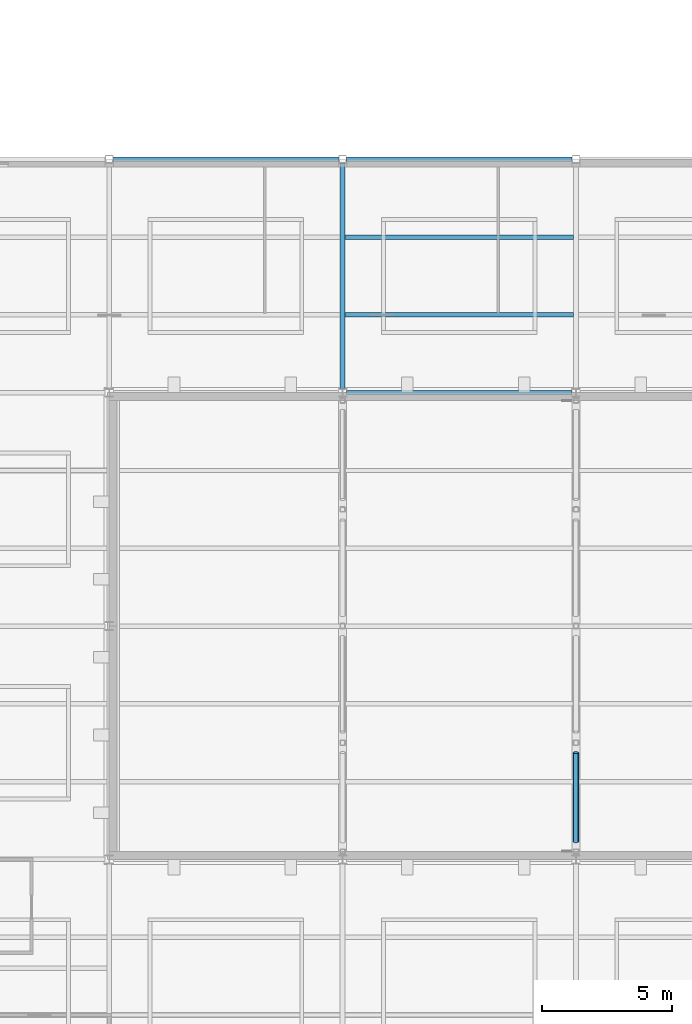
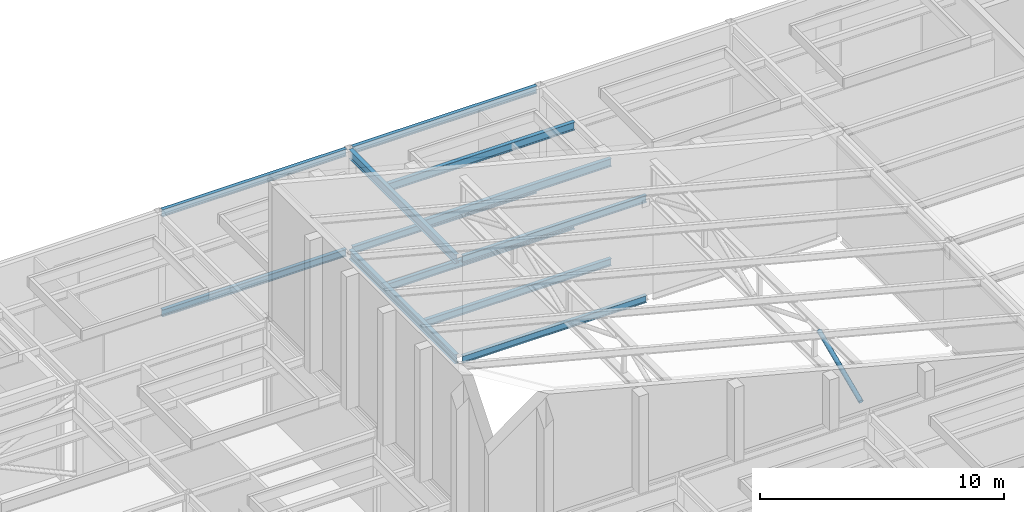
# One storey, part 40 of 115: 12 beams, 1 member.
"""IFC4 building model written with IfcOpenShell, lengths in metres."""

from ifc_helpers import new_model, si_unit, direction, frame, origin, origin_2d, place, context, subcontext, project, spatial, hollow_circle, i_section, extrude, material, material_profile, profile_set, type_object, element, save


model = new_model("IFC4")

# Units and contexts
model_context = context("Model", 3, precision=1e-05, world=origin(), true_north=direction((0.0, 1.0)))
body_context = subcontext(model_context, "Body", "Model", "MODEL_VIEW")
ifc_project = project(units=[si_unit("LENGTHUNIT", "METRE"), si_unit("AREAUNIT", "SQUARE_METRE"), si_unit("VOLUMEUNIT", "CUBIC_METRE"), si_unit("PLANEANGLEUNIT", "RADIAN"), si_unit("MASSUNIT", "GRAM", prefix="KILO")], contexts=[model_context])

# Site, building, storey
site_placement = place(None, origin())
site = spatial("IfcSite", under=ifc_project, at=site_placement, CompositionType="ELEMENT")
building_placement = place(site_placement, origin())
building = spatial("IfcBuilding", under=site, at=building_placement, Name="Shorebreak Coast Museum", CompositionType="ELEMENT")
storey_placement = place(building_placement, frame((0.0, 0.0, 11.0)))
storey = spatial("IfcBuildingStorey", under=building, at=storey_placement, Name="L02", CompositionType="ELEMENT", Elevation=11.0)

# Member
ifc_material_1 = material(Name="Steel Grade C350L0", Category="steel")
ifc_material_profile_1 = material_profile(ifc_material_1, hollow_circle(Radius=0.109619140625, WallThickness=0.00830078125, at=origin_2d()), Name="219.1x8.2 CHS")
ifc_profile_set_1 = profile_set([ifc_material_profile_1], Name="Steel Grade C350L0")
member_type = type_object("IfcMemberType", Name="Auditorium roof truss diagonal 219.1x8.2 CHS", PredefinedType="BRACE", material=ifc_profile_set_1)
member_placement = place(storey_placement, frame((36.0, 63.681640625, 4.911376953125), z_axis=(0.0, 0.919145030018, 0.393919298579), x_axis=(-1.0, 0.0, 0.0)))
element("IfcMember", 1, at=member_placement, inside=storey, type_object=member_type, Name="Auditorium roof truss TS2 diagonal D01", PredefinedType="BRACE", context=body_context, shape_type="SweptSolid", body=[
    extrude(hollow_circle(Radius=0.109619140625, WallThickness=0.00830078125, at=origin_2d()), origin(), (0.0, 0.0, 1.0), 3.739013671875),
])

# Beams
ifc_material_2 = material(Name="Steel Grade 300", Category="steel")
ifc_material_profile_2 = material_profile(ifc_material_2, i_section(OverallWidth=0.1708984375, OverallDepth=0.355712890625, WebThickness=0.00732421875, FlangeThickness=0.011474609375, FilletRadius=0.011474609375, at=origin_2d()), Name="360UB50.7")
ifc_profile_set_2 = profile_set([ifc_material_profile_2], Name="Steel Grade 300")
beam_type_1 = type_object("IfcBeamType", Name="Floor girder east-west 360UB50.7", PredefinedType="BEAM", material=ifc_profile_set_2)
beam_1_placement = place(storey_placement, frame((27.155517578125, 81.0, -0.352783203125), z_axis=(1.0, 0.0, 0.0), x_axis=(0.0, 1.0, 0.0)))
element("IfcBeam", 2, at=beam_1_placement, inside=storey, type_object=beam_type_1, Name="Floor girder east-west L02 4K", PredefinedType="BEAM", context=body_context, shape_type="SweptSolid", body=[
    extrude(i_section(OverallWidth=0.1708984375, OverallDepth=0.355712890625, WebThickness=0.00732421875, FlangeThickness=0.011474609375, FilletRadius=0.011474609375, at=origin_2d()), origin(), (0.0, 0.0, 1.0), 8.68896484375),
])
for number, where, z_axis, x_axis, name in (
    (3, (18.14990234375, 90.0, -0.352783203125), (1.0, 0.0, 0.0), (0.0, 1.0, 0.0), "Floor girder east-west L02 3L"),
    (4, (27.14990234375, 90.0, -0.352783203125), (1.0, 0.0, 0.0), (0.0, 1.0, 0.0), "Floor girder east-west L02 4L"),
):
    element("IfcBeam", number, at=place(storey_placement, frame(where, z_axis=z_axis, x_axis=x_axis)), inside=storey, type_object=beam_type_1, Name=name, PredefinedType="BEAM", context=body_context, shape_type="SweptSolid", body=[
        extrude(i_section(OverallWidth=0.1708984375, OverallDepth=0.355712890625, WebThickness=0.00732421875, FlangeThickness=0.011474609375, FilletRadius=0.011474609375, at=origin_2d()), origin(), (0.0, 0.0, 1.0), 8.7001953125),
    ])
ifc_material_3 = material(Name="Steel Grade 300", Category="steel")
ifc_material_profile_3 = material_profile(ifc_material_3, i_section(OverallWidth=0.19091796875, OverallDepth=0.46044921875, WebThickness=0.010009765625, FlangeThickness=0.01611328125, FilletRadius=0.011474609375, at=origin_2d()), Name="460UB82.1")
ifc_profile_set_3 = profile_set([ifc_material_profile_3], Name="Steel Grade 300")
beam_type_2 = type_object("IfcBeamType", Name="Floor girder north-south 460UB82.1", PredefinedType="BEAM", material=ifc_profile_set_3)
beam_2_placement = place(storey_placement, frame((27.0, 81.16357421875, -0.4052734375), z_axis=(0.0, 1.0, 0.0), x_axis=(-1.0, 0.0, 0.0)))
element("IfcBeam", 5, at=beam_2_placement, inside=storey, type_object=beam_type_2, Name="Floor girder north-south L02 4K", PredefinedType="BEAM", context=body_context, shape_type="SweptSolid", body=[
    extrude(i_section(OverallWidth=0.19091796875, OverallDepth=0.46044921875, WebThickness=0.010009765625, FlangeThickness=0.01611328125, FilletRadius=0.011474609375, at=origin_2d()), origin(), (0.0, 0.0, 1.0), 8.6865234375),
])
ifc_material_4 = material(Name="Steel Grade 300", Category="steel")
ifc_material_profile_4 = material_profile(ifc_material_4, i_section(OverallWidth=0.1708984375, OverallDepth=0.355712890625, WebThickness=0.00732421875, FlangeThickness=0.011474609375, FilletRadius=0.011474609375, at=origin_2d()), Name="360UB50.7")
ifc_profile_set_4 = profile_set([ifc_material_profile_4], Name="Steel Grade 300")
beam_type_3 = type_object("IfcBeamType", Name="Floor joist 360UB50.7", PredefinedType="JOIST", material=ifc_profile_set_4)
for number, where, z_axis, x_axis, name in (
    (6, (27.095458984375, 84.0, -0.352783203125), (1.0, 0.0, 0.0), (0.0, 1.0, 0.0), "Floor joist L02 bay 4K at 3000 mm"),
    (7, (27.095458984375, 87.0, -0.352783203125), (1.0, 0.0, 0.0), (0.0, 1.0, 0.0), "Floor joist L02 bay 4K at 6000 mm"),
):
    element("IfcBeam", number, at=place(storey_placement, frame(where, z_axis=z_axis, x_axis=x_axis)), inside=storey, type_object=beam_type_3, Name=name, PredefinedType="JOIST", context=body_context, shape_type="SweptSolid", body=[
        extrude(i_section(OverallWidth=0.1708984375, OverallDepth=0.355712890625, WebThickness=0.00732421875, FlangeThickness=0.011474609375, FilletRadius=0.011474609375, at=origin_2d()), origin(), (0.0, 0.0, 1.0), 8.80908203125),
    ])
ifc_material_5 = material(Name="Steel Grade 300", Category="steel")
ifc_material_profile_5 = material_profile(ifc_material_5, i_section(OverallWidth=0.1708984375, OverallDepth=0.355712890625, WebThickness=0.00732421875, FlangeThickness=0.011474609375, FilletRadius=0.011474609375, at=origin_2d()), Name="360UB50.7")
ifc_profile_set_5 = profile_set([ifc_material_profile_5], Name="Steel Grade 300")
beam_type_4 = type_object("IfcBeamType", Name="Roof deck girder east-west 360UB50.7", PredefinedType="BEAM", material=ifc_profile_set_5)
beam_3_placement = place(storey_placement, frame((27.155517578125, 81.0, 4.647216796875), z_axis=(1.0, 0.0, 0.0), x_axis=(0.0, 1.0, 0.0)))
element("IfcBeam", 8, at=beam_3_placement, inside=storey, type_object=beam_type_4, Name="Roof deck girder east-west L03 4K", PredefinedType="BEAM", context=body_context, shape_type="SweptSolid", body=[
    extrude(i_section(OverallWidth=0.1708984375, OverallDepth=0.355712890625, WebThickness=0.00732421875, FlangeThickness=0.011474609375, FilletRadius=0.011474609375, at=origin_2d()), origin(), (0.0, 0.0, 1.0), 8.68896484375),
])
for number, where, z_axis, x_axis, name in (
    (9, (18.14990234375, 90.0, 4.647216796875), (1.0, 0.0, 0.0), (0.0, 1.0, 0.0), "Roof deck girder east-west L03 3L"),
    (10, (27.14990234375, 90.0, 4.647216796875), (1.0, 0.0, 0.0), (0.0, 1.0, 0.0), "Roof deck girder east-west L03 4L"),
):
    element("IfcBeam", number, at=place(storey_placement, frame(where, z_axis=z_axis, x_axis=x_axis)), inside=storey, type_object=beam_type_4, Name=name, PredefinedType="BEAM", context=body_context, shape_type="SweptSolid", body=[
        extrude(i_section(OverallWidth=0.1708984375, OverallDepth=0.355712890625, WebThickness=0.00732421875, FlangeThickness=0.011474609375, FilletRadius=0.011474609375, at=origin_2d()), origin(), (0.0, 0.0, 1.0), 8.7001953125),
    ])
ifc_material_6 = material(Name="Steel Grade 300", Category="steel")
ifc_material_profile_6 = material_profile(ifc_material_6, i_section(OverallWidth=0.18994140625, OverallDepth=0.453857421875, WebThickness=0.008544921875, FlangeThickness=0.0126953125, FilletRadius=0.011474609375, at=origin_2d()), Name="460UB67.1")
ifc_profile_set_6 = profile_set([ifc_material_profile_6], Name="Steel Grade 300")
beam_type_5 = type_object("IfcBeamType", Name="Roof deck girder north-south 460UB67.1", PredefinedType="BEAM", material=ifc_profile_set_6)
beam_4_placement = place(storey_placement, frame((27.0, 81.16357421875, 4.59814453125), z_axis=(0.0, 1.0, 0.0), x_axis=(-1.0, 0.0, 0.0)))
element("IfcBeam", 11, at=beam_4_placement, inside=storey, type_object=beam_type_5, Name="Roof deck girder north-south L03 4K", PredefinedType="BEAM", context=body_context, shape_type="SweptSolid", body=[
    extrude(i_section(OverallWidth=0.18994140625, OverallDepth=0.453857421875, WebThickness=0.008544921875, FlangeThickness=0.0126953125, FilletRadius=0.011474609375, at=origin_2d()), origin(), (0.0, 0.0, 1.0), 8.6865234375),
])
ifc_material_7 = material(Name="Steel Grade 300", Category="steel")
ifc_material_profile_7 = material_profile(ifc_material_7, i_section(OverallWidth=0.177978515625, OverallDepth=0.402587890625, WebThickness=0.007568359375, FlangeThickness=0.010986328125, FilletRadius=0.011474609375, at=origin_2d()), Name="410UB53.7")
ifc_profile_set_7 = profile_set([ifc_material_profile_7], Name="Steel Grade 300")
beam_type_6 = type_object("IfcBeamType", Name="Roof deck joist 410UB53.7", PredefinedType="JOIST", material=ifc_profile_set_7)
for number, where, z_axis, x_axis, name in (
    (12, (27.094970703125, 84.0, 4.623779296875), (1.0, 0.0, 0.0), (0.0, 1.0, 0.0), "Roof deck joist L03 bay 4K at 3000 mm"),
    (13, (27.094970703125, 87.0, 4.623779296875), (1.0, 0.0, 0.0), (0.0, 1.0, 0.0), "Roof deck joist L03 bay 4K at 6000 mm"),
):
    element("IfcBeam", number, at=place(storey_placement, frame(where, z_axis=z_axis, x_axis=x_axis)), inside=storey, type_object=beam_type_6, Name=name, PredefinedType="JOIST", context=body_context, shape_type="SweptSolid", body=[
        extrude(i_section(OverallWidth=0.177978515625, OverallDepth=0.402587890625, WebThickness=0.007568359375, FlangeThickness=0.010986328125, FilletRadius=0.011474609375, at=origin_2d()), origin(), (0.0, 0.0, 1.0), 8.81005859375),
    ])

save(model, "model.ifc")
